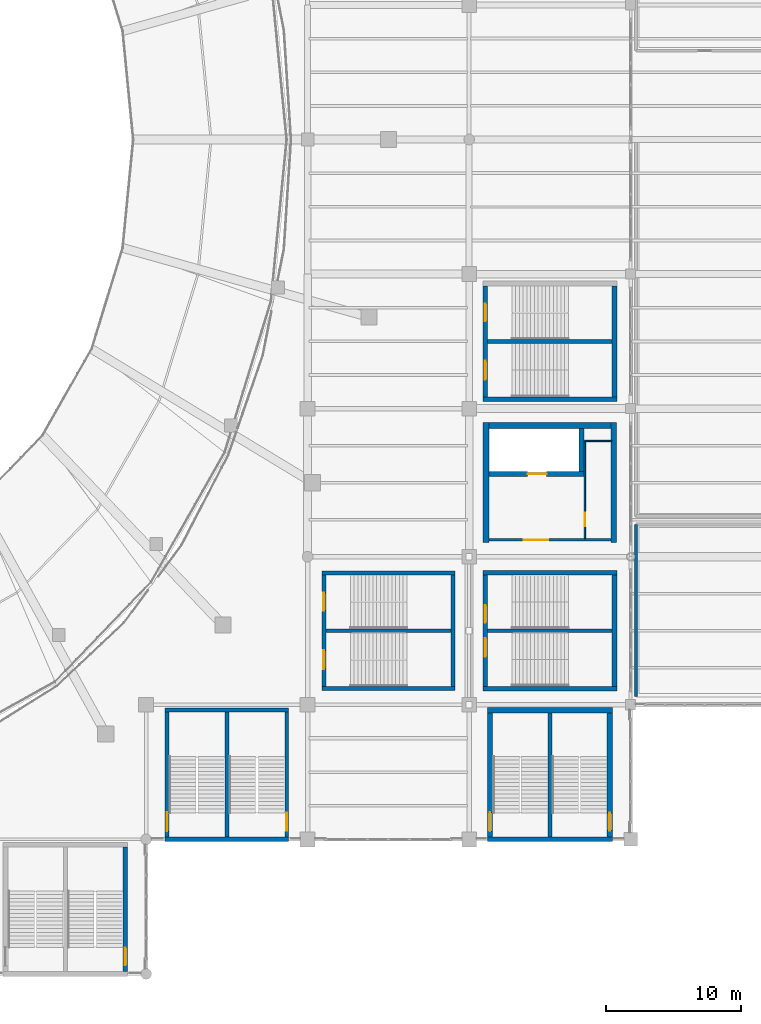
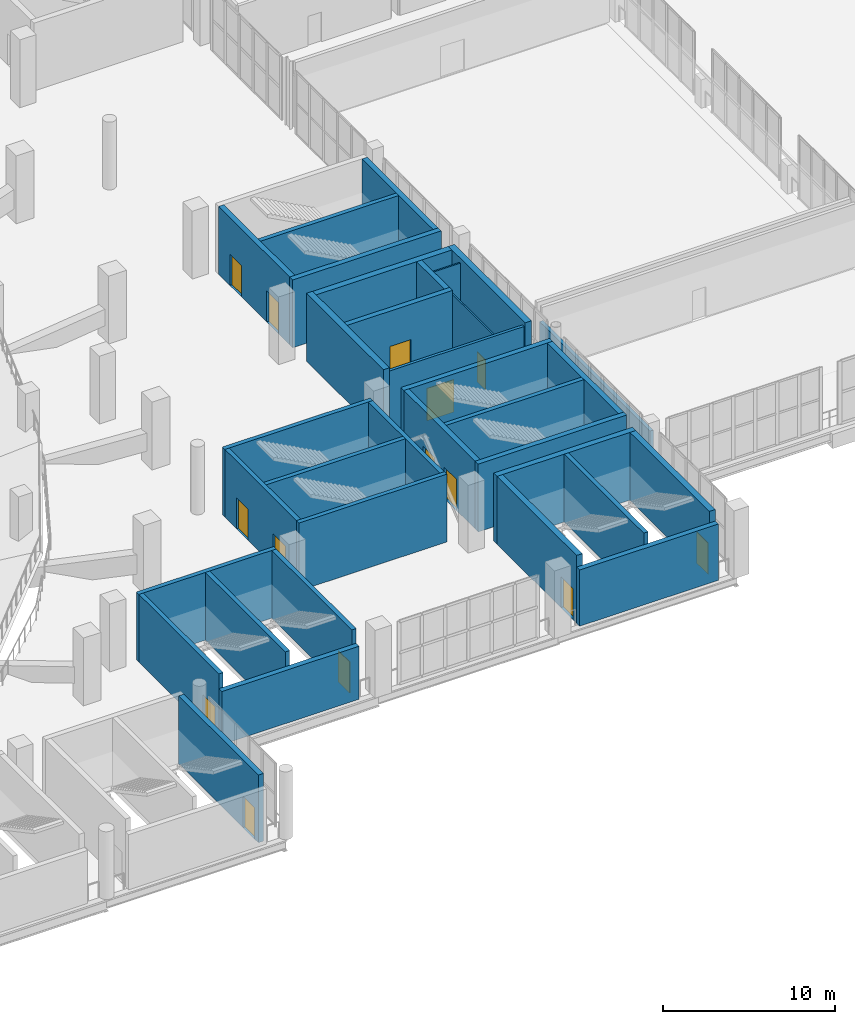
# One storey, part 112 of 136: 34 walls, 14 doors, 14 openings.
"""IFC4 building model written with IfcOpenShell, lengths in metres."""

from ifc_helpers import new_model, si_unit, direction, frame, frame_2d, origin, place, context, subcontext, project, spatial, rectangle, extrude, material, layer, layer_set, type_object, element, fill, save


model = new_model("IFC4")

# Units and contexts
model_context = context("Model", 3, precision=1e-05, world=origin(), true_north=direction((0.0, 1.0)))
body_context = subcontext(model_context, "Body", "Model", "MODEL_VIEW")
ifc_project = project(units=[si_unit("LENGTHUNIT", "METRE"), si_unit("AREAUNIT", "SQUARE_METRE"), si_unit("VOLUMEUNIT", "CUBIC_METRE"), si_unit("PLANEANGLEUNIT", "RADIAN"), si_unit("MASSUNIT", "GRAM", prefix="KILO")], contexts=[model_context])

# Site, building, storey
site_placement = place(None, origin())
site = spatial("IfcSite", under=ifc_project, at=site_placement, CompositionType="ELEMENT")
building_placement = place(site_placement, origin())
building = spatial("IfcBuilding", under=site, at=building_placement, Name="Brinegate Civic Arena", CompositionType="ELEMENT")
storey_placement = place(building_placement, frame((0.0, 0.0, 5.39990234375)))
storey = spatial("IfcBuildingStorey", under=building, at=storey_placement, Name="L01", CompositionType="ELEMENT", Elevation=5.39990234375)

# Wall, opening, door
ifc_material_1 = material(Name="Concrete C50/60", Category="concrete")
ifc_layer_1 = layer(ifc_material_1, 0.35009765625, Name="Concrete C50/60")
ifc_layer_set_1 = layer_set([ifc_layer_1], Name="Concrete C50/60")
wall_type_1 = type_object("IfcWallType", Name="WALL-CORE-SHEAR-350", PredefinedType="SHEAR", material=ifc_layer_set_1)
wall_1_placement = place(storey_placement, frame((130.449951171875, 0.175048828125, 0.0), z_axis=(0.0, 0.0, 1.0), x_axis=(0.0, 1.0, 0.0)))
wall_1 = element("IfcWall", 1, at=wall_1_placement, inside=storey, type_object=wall_type_1, Name="Stair ST-04 East Shear Wall L01 (WBC-01)", PredefinedType="SHEAR", context=body_context, shape_type="SweptSolid", body=[
    extrude(rectangle(XDim=9.25, YDim=0.35009765625, at=frame_2d((4.625, 0.0))), origin(), (0.0, 0.0, 1.0), 4.800048828125),
])
opening_1_placement = place(wall_1_placement, frame((0.465087890625, 0.0, 0.0)))
opening_1 = element("IfcOpeningElement", 2, at=opening_1_placement, cuts=wall_1, Name="Opening D-ST04B-L01", PredefinedType="OPENING", context=body_context, shape_type="SweptSolid", body=[
    extrude(rectangle(XDim=1.320068359375, YDim=2.199951171875, at=frame_2d((0.66015625, 1.10009765625))), frame((0.0, 0.18505859375, 0.0), z_axis=(0.0, -1.0, 0.0), x_axis=(1.0, 0.0, 0.0)), (0.0, 0.0, 1.0), 0.3701171875),
])
ifc_material_2 = material(Name="Galvanized hurricane steel", Category="steel")
door_type_1 = type_object("IfcDoorType", Name="DOOR-STAIR-2200X2200", OperationType="NOTDEFINED", PredefinedType="DOOR", material=ifc_material_2)
door_1_placement = place(opening_1_placement, origin())
door_1 = element("IfcDoor", 3, at=door_1_placement, inside=storey, type_object=door_type_1, Name="Protected Exit Stair Door D-ST04B-L01", OperationType="DOUBLE_DOOR_SINGLE_SWING", OverallHeight=2.199951171875, OverallWidth=1.320068359375, PredefinedType="DOOR", context=body_context, shape_type="SweptSolid", body=[
    extrude(rectangle(XDim=1.320068359375, YDim=2.199951171875, at=frame_2d((0.66015625, 1.10009765625))), frame((0.0, 0.02490234375, 0.0), z_axis=(0.0, -1.0, 0.0), x_axis=(1.0, 0.0, 0.0)), (0.0, 0.0, 1.0), 0.050048828125),
])
fill(opening_1, door_1)

# Wall
wall_2_placement = place(storey_placement, frame((157.02490234375, 42.699951171875, 0.0), z_axis=(0.0, 0.0, 1.0), x_axis=(1.0, 0.0, 0.0)))
element("IfcWall", 4, at=wall_2_placement, inside=storey, type_object=wall_type_1, Name="Stair ST-10 South Shear Wall L01 (WBD-59)", PredefinedType="SHEAR", context=body_context, shape_type="SweptSolid", body=[
    extrude(rectangle(XDim=9.9501953125, YDim=0.35009765625, at=frame_2d((4.97509765625, 0.0))), origin(), (0.0, 0.0, 1.0), 4.800048828125),
])

# Wall, openings, doors
wall_3_placement = place(storey_placement, frame((157.199951171875, 42.875, 0.0), z_axis=(0.0, 0.0, 1.0), x_axis=(0.0, 1.0, 0.0)))
wall_3 = element("IfcWall", 5, at=wall_3_placement, inside=storey, type_object=wall_type_1, Name="Stair ST-10 West Shear Wall L01 (WBD-61)", PredefinedType="SHEAR", context=body_context, shape_type="SweptSolid", body=[
    extrude(rectangle(XDim=8.25, YDim=0.35009765625, at=frame_2d((4.125, 0.0))), origin(), (0.0, 0.0, 1.0), 4.800048828125),
])
opening_2_placement = place(wall_3_placement, frame((1.27490234375, 0.0, 0.0)))
opening_2 = element("IfcOpeningElement", 6, at=opening_2_placement, cuts=wall_3, Name="Opening D-ST10A-L01", PredefinedType="OPENING", context=body_context, shape_type="SweptSolid", body=[
    extrude(rectangle(XDim=1.39990234375, YDim=2.199951171875, at=frame_2d((0.699951171875, 1.10009765625))), frame((0.0, 0.18505859375, 0.0), z_axis=(0.0, -1.0, 0.0), x_axis=(1.0, 0.0, 0.0)), (0.0, 0.0, 1.0), 0.3701171875),
])
opening_3_placement = place(wall_3_placement, frame((5.614990234375, 0.0, 0.0)))
opening_3 = element("IfcOpeningElement", 7, at=opening_3_placement, cuts=wall_3, Name="Opening D-ST10B-L01", PredefinedType="OPENING", context=body_context, shape_type="SweptSolid", body=[
    extrude(rectangle(XDim=1.320068359375, YDim=2.199951171875, at=frame_2d((0.66015625, 1.10009765625))), frame((0.0, 0.18505859375, 0.0), z_axis=(0.0, -1.0, 0.0), x_axis=(1.0, 0.0, 0.0)), (0.0, 0.0, 1.0), 0.3701171875),
])
door_2_placement = place(opening_3_placement, origin())
door_2 = element("IfcDoor", 8, at=door_2_placement, inside=storey, type_object=door_type_1, Name="Protected Exit Stair Door D-ST10B-L01", OperationType="DOUBLE_DOOR_SINGLE_SWING", OverallHeight=2.199951171875, OverallWidth=1.320068359375, PredefinedType="DOOR", context=body_context, shape_type="SweptSolid", body=[
    extrude(rectangle(XDim=1.320068359375, YDim=2.199951171875, at=frame_2d((0.66015625, 1.10009765625))), frame((0.0, 0.02490234375, 0.0), z_axis=(0.0, -1.0, 0.0), x_axis=(1.0, 0.0, 0.0)), (0.0, 0.0, 1.0), 0.050048828125),
])
fill(opening_3, door_2)
door_type_2 = type_object("IfcDoorType", Name="DOOR-STAIR-2400X2200", OperationType="NOTDEFINED", PredefinedType="DOOR", material=ifc_material_2)
door_3_placement = place(opening_2_placement, origin())
door_3 = element("IfcDoor", 9, at=door_3_placement, inside=storey, type_object=door_type_2, Name="Protected Exit Stair Door D-ST10A-L01", OperationType="DOUBLE_DOOR_SINGLE_SWING", OverallHeight=2.199951171875, OverallWidth=1.39990234375, PredefinedType="DOOR", context=body_context, shape_type="SweptSolid", body=[
    extrude(rectangle(XDim=1.39990234375, YDim=2.199951171875, at=frame_2d((0.699951171875, 1.10009765625))), frame((0.0, 0.02490234375, 0.0), z_axis=(0.0, -1.0, 0.0), x_axis=(1.0, 0.0, 0.0)), (0.0, 0.0, 1.0), 0.050048828125),
])
fill(opening_2, door_3)

# Walls
wall_4_placement = place(storey_placement, frame((166.800048828125, 42.875, 0.0), z_axis=(0.0, 0.0, 1.0), x_axis=(0.0, 1.0, 0.0)))
element("IfcWall", 10, at=wall_4_placement, inside=storey, type_object=wall_type_1, Name="Stair ST-10 East Shear Wall L01 (WBD-62)", PredefinedType="SHEAR", context=body_context, shape_type="SweptSolid", body=[
    extrude(rectangle(XDim=8.25, YDim=0.35009765625, at=frame_2d((4.125, 0.0))), origin(), (0.0, 0.0, 1.0), 4.800048828125),
])
for number, where, z_axis, x_axis, name in (
    (11, (157.02490234375, 21.199951171875, 0.0), (0.0, 0.0, 1.0), (1.0, 0.0, 0.0), "Stair ST-19 South Shear Wall L01 (WBL-31)"),
    (12, (157.02490234375, 29.800048828125, 0.0), (0.0, 0.0, 1.0), (1.0, 0.0, 0.0), "Stair ST-19 North Shear Wall L01 (WBL-32)"),
):
    element("IfcWall", number, at=place(storey_placement, frame(where, z_axis=z_axis, x_axis=x_axis)), inside=storey, type_object=wall_type_1, Name=name, PredefinedType="SHEAR", context=body_context, shape_type="SweptSolid", body=[
        extrude(rectangle(XDim=9.9501953125, YDim=0.35009765625, at=frame_2d((4.97509765625, 0.0))), origin(), (0.0, 0.0, 1.0), 4.800048828125),
    ])

# Wall, openings, doors
wall_5_placement = place(storey_placement, frame((157.199951171875, 21.375, 0.0), z_axis=(0.0, 0.0, 1.0), x_axis=(0.0, 1.0, 0.0)))
wall_5 = element("IfcWall", 13, at=wall_5_placement, inside=storey, type_object=wall_type_1, Name="Stair ST-19 West Shear Wall L01 (WBL-33)", PredefinedType="SHEAR", context=body_context, shape_type="SweptSolid", body=[
    extrude(rectangle(XDim=8.25, YDim=0.35009765625, at=frame_2d((4.125, 0.0))), origin(), (0.0, 0.0, 1.0), 4.800048828125),
])
opening_4_placement = place(wall_5_placement, frame((2.175048828125, 0.0, 0.0)))
opening_4 = element("IfcOpeningElement", 14, at=opening_4_placement, cuts=wall_5, Name="Opening D-ST19A-L01", PredefinedType="OPENING", context=body_context, shape_type="SweptSolid", body=[
    extrude(rectangle(XDim=1.39990234375, YDim=2.199951171875, at=frame_2d((0.699951171875, 1.10009765625))), frame((0.0, 0.18505859375, 0.0), z_axis=(0.0, -1.0, 0.0), x_axis=(1.0, 0.0, 0.0)), (0.0, 0.0, 1.0), 0.3701171875),
])
opening_5_placement = place(wall_5_placement, frame((4.715087890625, 0.0, 0.0)))
opening_5 = element("IfcOpeningElement", 15, at=opening_5_placement, cuts=wall_5, Name="Opening D-ST19B-L01", PredefinedType="OPENING", context=body_context, shape_type="SweptSolid", body=[
    extrude(rectangle(XDim=1.320068359375, YDim=2.199951171875, at=frame_2d((0.66015625, 1.10009765625))), frame((0.0, 0.18505859375, 0.0), z_axis=(0.0, -1.0, 0.0), x_axis=(1.0, 0.0, 0.0)), (0.0, 0.0, 1.0), 0.3701171875),
])
door_4_placement = place(opening_5_placement, origin())
door_4 = element("IfcDoor", 16, at=door_4_placement, inside=storey, type_object=door_type_1, Name="Protected Exit Stair Door D-ST19B-L01", OperationType="DOUBLE_DOOR_SINGLE_SWING", OverallHeight=2.199951171875, OverallWidth=1.320068359375, PredefinedType="DOOR", context=body_context, shape_type="SweptSolid", body=[
    extrude(rectangle(XDim=1.320068359375, YDim=2.199951171875, at=frame_2d((0.66015625, 1.10009765625))), frame((0.0, 0.02490234375, 0.0), z_axis=(0.0, -1.0, 0.0), x_axis=(1.0, 0.0, 0.0)), (0.0, 0.0, 1.0), 0.050048828125),
])
fill(opening_5, door_4)
door_5_placement = place(opening_4_placement, origin())
door_5 = element("IfcDoor", 17, at=door_5_placement, inside=storey, type_object=door_type_2, Name="Protected Exit Stair Door D-ST19A-L01", OperationType="DOUBLE_DOOR_SINGLE_SWING", OverallHeight=2.199951171875, OverallWidth=1.39990234375, PredefinedType="DOOR", context=body_context, shape_type="SweptSolid", body=[
    extrude(rectangle(XDim=1.39990234375, YDim=2.199951171875, at=frame_2d((0.699951171875, 1.10009765625))), frame((0.0, 0.02490234375, 0.0), z_axis=(0.0, -1.0, 0.0), x_axis=(1.0, 0.0, 0.0)), (0.0, 0.0, 1.0), 0.050048828125),
])
fill(opening_4, door_5)

# Wall
wall_6_placement = place(storey_placement, frame((166.800048828125, 21.375, 0.0), z_axis=(0.0, 0.0, 1.0), x_axis=(0.0, 1.0, 0.0)))
element("IfcWall", 18, at=wall_6_placement, inside=storey, type_object=wall_type_1, Name="Stair ST-19 East Shear Wall L01 (WBL-34)", PredefinedType="SHEAR", context=body_context, shape_type="SweptSolid", body=[
    extrude(rectangle(XDim=8.25, YDim=0.35009765625, at=frame_2d((4.125, 0.0))), origin(), (0.0, 0.0, 1.0), 4.800048828125),
])

# Wall, opening, door
wall_7_placement = place(storey_placement, frame((157.4599609375, 37.14990234375, 0.0), z_axis=(0.0, 0.0, 1.0), x_axis=(1.0, 0.0, 0.0)))
wall_7 = element("IfcWall", 19, at=wall_7_placement, inside=storey, type_object=wall_type_1, Name="Core K6 Lift Shaft Front Wall L01 (WBH-91)", PredefinedType="SHEAR", context=body_context, shape_type="SweptSolid", body=[
    extrude(rectangle(XDim=7.06494140625, YDim=0.35009765625, at=frame_2d((3.532470703125, 0.0))), origin(), (0.0, 0.0, 1.0), 4.800048828125),
])
opening_6_placement = place(wall_7_placement, frame((2.889892578125, 0.0, 0.0)))
opening_6 = element("IfcOpeningElement", 20, at=opening_6_placement, cuts=wall_7, Name="Opening LD-GL2-L01", PredefinedType="OPENING", context=body_context, shape_type="SweptSolid", body=[
    extrude(rectangle(XDim=1.39990234375, YDim=2.300048828125, at=frame_2d((0.699951171875, 1.14990234375))), frame((0.0, 0.18505859375, 0.0), z_axis=(0.0, -1.0, 0.0), x_axis=(1.0, 0.0, 0.0)), (0.0, 0.0, 1.0), 0.3701171875),
])
ifc_material_3 = material(Name="Architectural stainless steel balustrade", Category="steel")
door_type_3 = type_object("IfcDoorType", Name="DOOR-LIFT-1400X2300", OperationType="SLIDING_TO_LEFT", PredefinedType="DOOR", material=ifc_material_3)
door_6_placement = place(opening_6_placement, origin())
door_6 = element("IfcDoor", 21, at=door_6_placement, inside=storey, type_object=door_type_3, Name="Sliding Lift Landing Door LD-GL2-L01", OperationType="SLIDING_TO_LEFT", OverallHeight=2.300048828125, OverallWidth=1.39990234375, PredefinedType="DOOR", context=body_context, shape_type="SweptSolid", body=[
    extrude(rectangle(XDim=1.39990234375, YDim=2.300048828125, at=frame_2d((0.699951171875, 1.14990234375))), frame((0.0, 0.02490234375, 0.0), z_axis=(0.0, -1.0, 0.0), x_axis=(1.0, 0.0, 0.0)), (0.0, 0.0, 1.0), 0.050048828125),
])
fill(opening_6, door_6)

# Walls
wall_8_placement = place(storey_placement, frame((164.35009765625, 37.324951171875, 0.0), z_axis=(0.0, 0.0, 1.0), x_axis=(0.0, 1.0, 0.0)))
element("IfcWall", 22, at=wall_8_placement, inside=storey, type_object=wall_type_1, Name="Core K6 Lift Shaft End Wall L01 (WBH-92)", PredefinedType="SHEAR", context=body_context, shape_type="SweptSolid", body=[
    extrude(rectangle(XDim=3.215087890625, YDim=0.35009765625, at=frame_2d((1.607421875, 0.0))), origin(), (0.0, 0.0, 1.0), 4.800048828125),
])
ifc_layer_2 = layer(ifc_material_1, 0.389892578125, Name="Concrete C50/60")
ifc_layer_set_2 = layer_set([ifc_layer_2], Name="Concrete C50/60")
wall_type_2 = type_object("IfcWallType", Name="WALL-CORE-SHEAR-390", PredefinedType="SHEAR", material=ifc_layer_set_2)
wall_9_placement = place(storey_placement, frame((157.35498046875, 19.60009765625, 0.0), z_axis=(0.0, 0.0, 1.0), x_axis=(1.0, 0.0, 0.0)))
element("IfcWall", 23, at=wall_9_placement, inside=storey, type_object=wall_type_2, Name="Stair ST-06 North Shear Wall L01 (WBC-49)", PredefinedType="SHEAR", context=body_context, shape_type="SweptSolid", body=[
    extrude(rectangle(XDim=9.2900390625, YDim=0.389892578125, at=frame_2d((4.64501953125, 0.0))), origin(), (0.0, 0.0, 1.0), 4.800048828125),
])

# Wall, opening, door
wall_10_placement = place(storey_placement, frame((157.550048828125, 10.175048828125, 0.0), z_axis=(0.0, 0.0, 1.0), x_axis=(0.0, 1.0, 0.0)))
wall_10 = element("IfcWall", 24, at=wall_10_placement, inside=storey, type_object=wall_type_2, Name="Stair ST-06 West Shear Wall L01 (WBC-50)", PredefinedType="SHEAR", context=body_context, shape_type="SweptSolid", body=[
    extrude(rectangle(XDim=9.22998046875, YDim=0.389892578125, at=frame_2d((4.614990234375, 0.0))), origin(), (0.0, 0.0, 1.0), 4.800048828125),
])
opening_7_placement = place(wall_10_placement, frame((0.425048828125, 0.0, 0.0)))
opening_7 = element("IfcOpeningElement", 25, at=opening_7_placement, cuts=wall_10, Name="Opening D-ST06A-L01", PredefinedType="OPENING", context=body_context, shape_type="SweptSolid", body=[
    extrude(rectangle(XDim=1.39990234375, YDim=2.199951171875, at=frame_2d((0.699951171875, 1.10009765625))), frame((0.0, 0.204833984375, 0.0), z_axis=(0.0, -1.0, 0.0), x_axis=(1.0, 0.0, 0.0)), (0.0, 0.0, 1.0), 0.409912109375),
])
door_7_placement = place(opening_7_placement, frame((1.39990234375, 0.0, 0.0), z_axis=(0.0, 0.0, 1.0), x_axis=(-1.0, 0.0, 0.0)))
door_7 = element("IfcDoor", 26, at=door_7_placement, inside=storey, type_object=door_type_2, Name="Protected Exit Stair Door D-ST06A-L01", OperationType="DOUBLE_DOOR_SINGLE_SWING", OverallHeight=2.199951171875, OverallWidth=1.39990234375, PredefinedType="DOOR", context=body_context, shape_type="SweptSolid", body=[
    extrude(rectangle(XDim=1.39990234375, YDim=2.199951171875, at=frame_2d((0.699951171875, 1.10009765625))), frame((0.0, 0.02490234375, 0.0), z_axis=(0.0, -1.0, 0.0), x_axis=(1.0, 0.0, 0.0)), (0.0, 0.0, 1.0), 0.050048828125),
])
fill(opening_7, door_7)

wall_11_placement = place(storey_placement, frame((166.449951171875, 10.175048828125, 0.0), z_axis=(0.0, 0.0, 1.0), x_axis=(0.0, 1.0, 0.0)))
wall_11 = element("IfcWall", 27, at=wall_11_placement, inside=storey, type_object=wall_type_2, Name="Stair ST-06 East Shear Wall L01 (WBC-51)", PredefinedType="SHEAR", context=body_context, shape_type="SweptSolid", body=[
    extrude(rectangle(XDim=9.22998046875, YDim=0.389892578125, at=frame_2d((4.614990234375, 0.0))), origin(), (0.0, 0.0, 1.0), 4.800048828125),
])
opening_8_placement = place(wall_11_placement, frame((0.465087890625, 0.0, 0.0)))
opening_8 = element("IfcOpeningElement", 28, at=opening_8_placement, cuts=wall_11, Name="Opening D-ST06B-L01", PredefinedType="OPENING", context=body_context, shape_type="SweptSolid", body=[
    extrude(rectangle(XDim=1.320068359375, YDim=2.199951171875, at=frame_2d((0.66015625, 1.10009765625))), frame((0.0, 0.204833984375, 0.0), z_axis=(0.0, -1.0, 0.0), x_axis=(1.0, 0.0, 0.0)), (0.0, 0.0, 1.0), 0.409912109375),
])
door_8_placement = place(opening_8_placement, origin())
door_8 = element("IfcDoor", 29, at=door_8_placement, inside=storey, type_object=door_type_1, Name="Protected Exit Stair Door D-ST06B-L01", OperationType="DOUBLE_DOOR_SINGLE_SWING", OverallHeight=2.199951171875, OverallWidth=1.320068359375, PredefinedType="DOOR", context=body_context, shape_type="SweptSolid", body=[
    extrude(rectangle(XDim=1.320068359375, YDim=2.199951171875, at=frame_2d((0.66015625, 1.10009765625))), frame((0.0, 0.02490234375, 0.0), z_axis=(0.0, -1.0, 0.0), x_axis=(1.0, 0.0, 0.0)), (0.0, 0.0, 1.0), 0.050048828125),
])
fill(opening_8, door_8)

# Walls
ifc_layer_3 = layer(ifc_material_1, 0.419921875, Name="Concrete C50/60")
ifc_layer_set_3 = layer_set([ifc_layer_3], Name="Concrete C50/60")
wall_type_3 = type_object("IfcWallType", Name="WALL-CORE-SHEAR-420", PredefinedType="SHEAR", material=ifc_layer_set_3)
for number, where, z_axis, x_axis, name in (
    (30, (157.25, 32.0400390625, 0.0), (0.0, 0.0, 1.0), (0.0, 1.0, 0.0), "Core K6 West Shear Wall L01 (WBH-88)"),
    (31, (166.75, 32.0400390625, 0.0), (0.0, 0.0, 1.0), (0.0, 1.0, 0.0), "Core K6 East Shear Wall L01 (WBH-89)"),
):
    element("IfcWall", number, at=place(storey_placement, frame(where, z_axis=z_axis, x_axis=x_axis)), inside=storey, type_object=wall_type_3, Name=name, PredefinedType="SHEAR", context=body_context, shape_type="SweptSolid", body=[
        extrude(rectangle(XDim=8.919921875, YDim=0.419921875, at=frame_2d((4.4599609375, 0.0))), origin(), (0.0, 0.0, 1.0), 4.800048828125),
    ])
wall_12_placement = place(storey_placement, frame((157.4599609375, 40.75, 0.0), z_axis=(0.0, 0.0, 1.0), x_axis=(1.0, 0.0, 0.0)))
element("IfcWall", 32, at=wall_12_placement, inside=storey, type_object=wall_type_3, Name="Core K6 North Shear Wall L01 (WBH-90)", PredefinedType="SHEAR", context=body_context, shape_type="SweptSolid", body=[
    extrude(rectangle(XDim=9.080078125, YDim=0.419921875, at=frame_2d((4.5400390625, 0.0))), origin(), (0.0, 0.0, 1.0), 4.800048828125),
])
ifc_layer_4 = layer(ifc_material_1, 0.35009765625, Name="Concrete C50/60")
ifc_layer_set_4 = layer_set([ifc_layer_4], Name="Concrete C50/60")
wall_type_4 = type_object("IfcWallType", Name="WALL-EXT-STAIR-SHEAR-350", PredefinedType="SHEAR", material=ifc_layer_set_4)
wall_13_placement = place(storey_placement, frame((157.35498046875, 10.0, 0.0), z_axis=(0.0, 0.0, 1.0), x_axis=(1.0, 0.0, 0.0)))
element("IfcWall", 33, at=wall_13_placement, inside=storey, type_object=wall_type_4, Name="Stair ST-06 South Shear Wall L01 (WBC-48)", PredefinedType="SHEAR", context=body_context, shape_type="SweptSolid", body=[
    extrude(rectangle(XDim=9.2900390625, YDim=0.35009765625, at=frame_2d((4.64501953125, 0.0))), origin(), (0.0, 0.0, 1.0), 3.984130859375),
])
wall_14_placement = place(storey_placement, frame((133.405029296875, 10.0, 0.0), z_axis=(0.0, 0.0, 1.0), x_axis=(1.0, 0.0, 0.0)))
element("IfcWall", 34, at=wall_14_placement, inside=storey, type_object=wall_type_4, Name="Stair ST-14 South Shear Wall L01 (WBE-60)", PredefinedType="SHEAR", context=body_context, shape_type="SweptSolid", body=[
    extrude(rectangle(XDim=9.18994140625, YDim=0.35009765625, at=frame_2d((4.594970703125, 0.0))), origin(), (0.0, 0.0, 1.0), 3.757080078125),
])
ifc_material_4 = material(Name="Concrete C40/50", Category="concrete")
ifc_layer_5 = layer(ifc_material_4, 0.22998046875, Name="Concrete C40/50")
ifc_layer_set_5 = layer_set([ifc_layer_5], Name="Concrete C40/50")
wall_type_5 = type_object("IfcWallType", Name="WALL-INT-SOLID-230", PredefinedType="SOLIDWALL", material=ifc_layer_set_5)
wall_15_placement = place(storey_placement, frame((168.39990234375, 20.60009765625, 0.0), z_axis=(0.0, 0.0, 1.0), x_axis=(0.0, 1.0, 0.0)))
element("IfcWall", 35, at=wall_15_placement, inside=storey, type_object=wall_type_5, Name="First Aid and Spectator Medical Station Partition Wall E3 (WBJ-10)", PredefinedType="SOLIDWALL", context=body_context, shape_type="SweptSolid", body=[
    extrude(rectangle(XDim=12.7998046875, YDim=0.22998046875, at=frame_2d((6.39990234375, 0.0))), origin(), (0.0, 0.0, 1.0), 3.4501953125),
])

# Wall, opening, door
ifc_material_5 = material(Name="Concrete blockwork masonry", Category="masonry")
ifc_layer_6 = layer(ifc_material_5, 0.18994140625, Name="Concrete blockwork masonry")
ifc_layer_set_6 = layer_set([ifc_layer_6], Name="Concrete blockwork masonry")
wall_type_6 = type_object("IfcWallType", Name="WALL-PART-RATED-190", PredefinedType="PARTITIONING", material=ifc_layer_set_6)
wall_16_placement = place(storey_placement, frame((157.469970703125, 32.25, 0.0), z_axis=(0.0, 0.0, 1.0), x_axis=(1.0, 0.0, 0.0)))
wall_16 = element("IfcWall", 36, at=wall_16_placement, inside=storey, type_object=wall_type_6, Name="Core K6 Concourse Lobby Wall L01 (WBH-93)", PredefinedType="PARTITIONING", context=body_context, shape_type="SweptSolid", body=[
    extrude(rectangle(XDim=9.06005859375, YDim=0.18994140625, at=frame_2d((4.530029296875, 0.0))), origin(), (0.0, 0.0, 1.0), 4.47021484375),
])
opening_9_placement = place(wall_16_placement, frame((2.60009765625, 0.0, 0.0)))
opening_9 = element("IfcOpeningElement", 37, at=opening_9_placement, cuts=wall_16, Name="Opening D-K6L-L01", PredefinedType="OPENING", context=body_context, shape_type="SweptSolid", body=[
    extrude(rectangle(XDim=1.800048828125, YDim=2.300048828125, at=frame_2d((0.89990234375, 1.14990234375))), frame((0.0, 0.10498046875, 0.0), z_axis=(0.0, -1.0, 0.0), x_axis=(1.0, 0.0, 0.0)), (0.0, 0.0, 1.0), 0.2099609375),
])
ifc_material_6 = material(Name="Marine grade aluminium", Category="aluminium")
door_type_4 = type_object("IfcDoorType", Name="DOOR-CONC-1800X2300", OperationType="NOTDEFINED", PredefinedType="DOOR", material=ifc_material_6)
door_9_placement = place(opening_9_placement, origin())
door_9 = element("IfcDoor", 38, at=door_9_placement, inside=storey, type_object=door_type_4, Name="Lift Lobby Door D-K6L-L01", OperationType="DOUBLE_DOOR_SINGLE_SWING", OverallHeight=2.300048828125, OverallWidth=1.800048828125, PredefinedType="DOOR", context=body_context, shape_type="SweptSolid", body=[
    extrude(rectangle(XDim=1.800048828125, YDim=2.300048828125, at=frame_2d((0.89990234375, 1.14990234375))), frame((0.0, 0.02490234375, 0.0), z_axis=(0.0, -1.0, 0.0), x_axis=(1.0, 0.0, 0.0)), (0.0, 0.0, 1.0), 0.050048828125),
])
fill(opening_9, door_9)

ifc_layer_7 = layer(ifc_material_5, 0.10009765625, Name="Concrete blockwork masonry")
ifc_layer_set_7 = layer_set([ifc_layer_7], Name="Concrete blockwork masonry")
wall_type_7 = type_object("IfcWallType", Name="WALL-PART-WET-100", PredefinedType="PARTITIONING", material=ifc_layer_set_7)
wall_17_placement = place(storey_placement, frame((164.60009765625, 32.35009765625, 0.0), z_axis=(0.0, 0.0, 1.0), x_axis=(0.0, 1.0, 0.0)))
wall_17 = element("IfcWall", 39, at=wall_17_placement, inside=storey, type_object=wall_type_7, Name="Accessible WC K6 Partition L01 (WBH-94)", PredefinedType="PARTITIONING", context=body_context, shape_type="SweptSolid", body=[
    extrude(rectangle(XDim=7.25, YDim=0.10009765625, at=frame_2d((3.625, 0.0))), origin(), (0.0, 0.0, 1.0), 4.47021484375),
])
opening_10_placement = place(wall_17_placement, frame((0.89990234375, 0.0, 0.0)))
opening_10 = element("IfcOpeningElement", 40, at=opening_10_placement, cuts=wall_17, Name="Opening D-K6W-L01", PredefinedType="OPENING", context=body_context, shape_type="SweptSolid", body=[
    extrude(rectangle(XDim=1.0, YDim=2.10009765625, at=frame_2d((0.5, 1.050048828125))), frame((0.0, 0.06005859375, 0.0), z_axis=(0.0, -1.0, 0.0), x_axis=(1.0, 0.0, 0.0)), (0.0, 0.0, 1.0), 0.1201171875),
])
ifc_material_7 = material(Name="Hardwood acoustic timber door", Category="wood")
door_type_5 = type_object("IfcDoorType", Name="DOOR-AWC-1000X2100", OperationType="NOTDEFINED", PredefinedType="DOOR", material=ifc_material_7)
door_10_placement = place(opening_10_placement, origin())
door_10 = element("IfcDoor", 41, at=door_10_placement, inside=storey, type_object=door_type_5, Name="Accessible WC Door D-K6W-L01", OperationType="SINGLE_SWING_RIGHT", OverallHeight=2.10009765625, OverallWidth=1.0, PredefinedType="DOOR", context=body_context, shape_type="SweptSolid", body=[
    extrude(rectangle(XDim=1.0, YDim=2.10009765625, at=frame_2d((0.5, 1.050048828125))), frame((0.0, 0.02490234375, 0.0), z_axis=(0.0, -1.0, 0.0), x_axis=(1.0, 0.0, 0.0)), (0.0, 0.0, 1.0), 0.050048828125),
])
fill(opening_10, door_10)

# Walls
wall_18_placement = place(storey_placement, frame((164.60009765625, 39.60009765625, 0.0), z_axis=(0.0, 0.0, 1.0), x_axis=(1.0, 0.0, 0.0)))
element("IfcWall", 42, at=wall_18_placement, inside=storey, type_object=wall_type_7, Name="Accessible WC K6 Back Partition L01 (WBH-95)", PredefinedType="PARTITIONING", context=body_context, shape_type="SweptSolid", body=[
    extrude(rectangle(XDim=2.0, YDim=0.10009765625, at=frame_2d((1.0, 0.0))), origin(), (0.0, 0.0, 1.0), 4.47021484375),
])
ifc_layer_8 = layer(ifc_material_1, 0.2900390625, Name="Concrete C50/60")
ifc_layer_set_8 = layer_set([ifc_layer_8], Name="Concrete C50/60")
wall_type_8 = type_object("IfcWallType", Name="WALL-STAIR-SHEAR-290", PredefinedType="SHEAR", material=ifc_layer_set_8)
wall_19_placement = place(storey_placement, frame((162.0, 10.175048828125, 0.0), z_axis=(0.0, 0.0, 1.0), x_axis=(0.0, 1.0, 0.0)))
element("IfcWall", 43, at=wall_19_placement, inside=storey, type_object=wall_type_8, Name="Stair ST-06 Central Dividing Shear Wall L01 (WBC-52)", PredefinedType="SHEAR", context=body_context, shape_type="SweptSolid", body=[
    extrude(rectangle(XDim=9.22998046875, YDim=0.2900390625, at=frame_2d((4.614990234375, 0.0))), origin(), (0.0, 0.0, 1.0), 4.800048828125),
])
wall_20_placement = place(storey_placement, frame((157.375, 47.0, 0.0), z_axis=(0.0, 0.0, 1.0), x_axis=(1.0, 0.0, 0.0)))
element("IfcWall", 44, at=wall_20_placement, inside=storey, type_object=wall_type_8, Name="Stair ST-10 Central Dividing Shear Wall L01 (WBD-63)", PredefinedType="SHEAR", context=body_context, shape_type="SweptSolid", body=[
    extrude(rectangle(XDim=9.25, YDim=0.2900390625, at=frame_2d((4.625, 0.0))), origin(), (0.0, 0.0, 1.0), 4.800048828125),
])
wall_21_placement = place(storey_placement, frame((133.405029296875, 19.60009765625, 0.0), z_axis=(0.0, 0.0, 1.0), x_axis=(1.0, 0.0, 0.0)))
element("IfcWall", 45, at=wall_21_placement, inside=storey, type_object=wall_type_8, Name="Stair ST-14 North Shear Wall L01 (WBE-61)", PredefinedType="SHEAR", context=body_context, shape_type="SweptSolid", body=[
    extrude(rectangle(XDim=9.18994140625, YDim=0.2900390625, at=frame_2d((4.594970703125, 0.0))), origin(), (0.0, 0.0, 1.0), 4.800048828125),
])

# Wall, opening, door
wall_22_placement = place(storey_placement, frame((133.550048828125, 10.175048828125, 0.0), z_axis=(0.0, 0.0, 1.0), x_axis=(0.0, 1.0, 0.0)))
wall_22 = element("IfcWall", 46, at=wall_22_placement, inside=storey, type_object=wall_type_8, Name="Stair ST-14 West Shear Wall L01 (WBE-62)", PredefinedType="SHEAR", context=body_context, shape_type="SweptSolid", body=[
    extrude(rectangle(XDim=9.280029296875, YDim=0.2900390625, at=frame_2d((4.64013671875, 0.0))), origin(), (0.0, 0.0, 1.0), 4.800048828125),
])
opening_11_placement = place(wall_22_placement, frame((0.425048828125, 0.0, 0.0)))
opening_11 = element("IfcOpeningElement", 47, at=opening_11_placement, cuts=wall_22, Name="Opening D-ST14A-L01", PredefinedType="OPENING", context=body_context, shape_type="SweptSolid", body=[
    extrude(rectangle(XDim=1.39990234375, YDim=2.199951171875, at=frame_2d((0.699951171875, 1.10009765625))), frame((0.0, 0.155029296875, 0.0), z_axis=(0.0, -1.0, 0.0), x_axis=(1.0, 0.0, 0.0)), (0.0, 0.0, 1.0), 0.31005859375),
])
door_11_placement = place(opening_11_placement, frame((1.39990234375, 0.0, 0.0), z_axis=(0.0, 0.0, 1.0), x_axis=(-1.0, 0.0, 0.0)))
door_11 = element("IfcDoor", 48, at=door_11_placement, inside=storey, type_object=door_type_2, Name="Protected Exit Stair Door D-ST14A-L01", OperationType="DOUBLE_DOOR_SINGLE_SWING", OverallHeight=2.199951171875, OverallWidth=1.39990234375, PredefinedType="DOOR", context=body_context, shape_type="SweptSolid", body=[
    extrude(rectangle(XDim=1.39990234375, YDim=2.199951171875, at=frame_2d((0.699951171875, 1.10009765625))), frame((0.0, 0.02490234375, 0.0), z_axis=(0.0, -1.0, 0.0), x_axis=(1.0, 0.0, 0.0)), (0.0, 0.0, 1.0), 0.050048828125),
])
fill(opening_11, door_11)

wall_23_placement = place(storey_placement, frame((142.449951171875, 10.175048828125, 0.0), z_axis=(0.0, 0.0, 1.0), x_axis=(0.0, 1.0, 0.0)))
wall_23 = element("IfcWall", 49, at=wall_23_placement, inside=storey, type_object=wall_type_8, Name="Stair ST-14 East Shear Wall L01 (WBE-63)", PredefinedType="SHEAR", context=body_context, shape_type="SweptSolid", body=[
    extrude(rectangle(XDim=9.280029296875, YDim=0.2900390625, at=frame_2d((4.64013671875, 0.0))), origin(), (0.0, 0.0, 1.0), 4.800048828125),
])
opening_12_placement = place(wall_23_placement, frame((0.465087890625, 0.0, 0.0)))
opening_12 = element("IfcOpeningElement", 50, at=opening_12_placement, cuts=wall_23, Name="Opening D-ST14B-L01", PredefinedType="OPENING", context=body_context, shape_type="SweptSolid", body=[
    extrude(rectangle(XDim=1.320068359375, YDim=2.199951171875, at=frame_2d((0.66015625, 1.10009765625))), frame((0.0, 0.155029296875, 0.0), z_axis=(0.0, -1.0, 0.0), x_axis=(1.0, 0.0, 0.0)), (0.0, 0.0, 1.0), 0.31005859375),
])
door_12_placement = place(opening_12_placement, origin())
door_12 = element("IfcDoor", 51, at=door_12_placement, inside=storey, type_object=door_type_1, Name="Protected Exit Stair Door D-ST14B-L01", OperationType="DOUBLE_DOOR_SINGLE_SWING", OverallHeight=2.199951171875, OverallWidth=1.320068359375, PredefinedType="DOOR", context=body_context, shape_type="SweptSolid", body=[
    extrude(rectangle(XDim=1.320068359375, YDim=2.199951171875, at=frame_2d((0.66015625, 1.10009765625))), frame((0.0, 0.02490234375, 0.0), z_axis=(0.0, -1.0, 0.0), x_axis=(1.0, 0.0, 0.0)), (0.0, 0.0, 1.0), 0.050048828125),
])
fill(opening_12, door_12)

# Walls
wall_24_placement = place(storey_placement, frame((138.0, 10.175048828125, 0.0), z_axis=(0.0, 0.0, 1.0), x_axis=(0.0, 1.0, 0.0)))
element("IfcWall", 52, at=wall_24_placement, inside=storey, type_object=wall_type_8, Name="Stair ST-14 Central Dividing Shear Wall L01 (WBE-64)", PredefinedType="SHEAR", context=body_context, shape_type="SweptSolid", body=[
    extrude(rectangle(XDim=9.280029296875, YDim=0.2900390625, at=frame_2d((4.64013671875, 0.0))), origin(), (0.0, 0.0, 1.0), 4.800048828125),
])
for number, where, z_axis, x_axis, name in (
    (53, (145.054931640625, 21.199951171875, 0.0), (0.0, 0.0, 1.0), (1.0, 0.0, 0.0), "Stair ST-17 South Shear Wall L01 (WBK-80)"),
    (54, (145.054931640625, 29.800048828125, 0.0), (0.0, 0.0, 1.0), (1.0, 0.0, 0.0), "Stair ST-17 North Shear Wall L01 (WBK-81)"),
):
    element("IfcWall", number, at=place(storey_placement, frame(where, z_axis=z_axis, x_axis=x_axis)), inside=storey, type_object=wall_type_8, Name=name, PredefinedType="SHEAR", context=body_context, shape_type="SweptSolid", body=[
        extrude(rectangle(XDim=9.89013671875, YDim=0.2900390625, at=frame_2d((4.945068359375, 0.0))), origin(), (0.0, 0.0, 1.0), 4.800048828125),
    ])

# Wall, openings, doors
wall_25_placement = place(storey_placement, frame((145.199951171875, 21.344970703125, 0.0), z_axis=(0.0, 0.0, 1.0), x_axis=(0.0, 1.0, 0.0)))
wall_25 = element("IfcWall", 55, at=wall_25_placement, inside=storey, type_object=wall_type_8, Name="Stair ST-17 West Shear Wall L01 (WBK-82)", PredefinedType="SHEAR", context=body_context, shape_type="SweptSolid", body=[
    extrude(rectangle(XDim=8.31005859375, YDim=0.2900390625, at=frame_2d((4.155029296875, 0.0))), origin(), (0.0, 0.0, 1.0), 4.800048828125),
])
opening_13_placement = place(wall_25_placement, frame((1.304931640625, 0.0, 0.0)))
opening_13 = element("IfcOpeningElement", 56, at=opening_13_placement, cuts=wall_25, Name="Opening D-ST17A-L01", PredefinedType="OPENING", context=body_context, shape_type="SweptSolid", body=[
    extrude(rectangle(XDim=1.39990234375, YDim=2.199951171875, at=frame_2d((0.699951171875, 1.10009765625))), frame((0.0, 0.155029296875, 0.0), z_axis=(0.0, -1.0, 0.0), x_axis=(1.0, 0.0, 0.0)), (0.0, 0.0, 1.0), 0.31005859375),
])
opening_14_placement = place(wall_25_placement, frame((5.64501953125, 0.0, 0.0)))
opening_14 = element("IfcOpeningElement", 57, at=opening_14_placement, cuts=wall_25, Name="Opening D-ST17B-L01", PredefinedType="OPENING", context=body_context, shape_type="SweptSolid", body=[
    extrude(rectangle(XDim=1.320068359375, YDim=2.199951171875, at=frame_2d((0.66015625, 1.10009765625))), frame((0.0, 0.155029296875, 0.0), z_axis=(0.0, -1.0, 0.0), x_axis=(1.0, 0.0, 0.0)), (0.0, 0.0, 1.0), 0.31005859375),
])
door_13_placement = place(opening_14_placement, origin())
door_13 = element("IfcDoor", 58, at=door_13_placement, inside=storey, type_object=door_type_1, Name="Protected Exit Stair Door D-ST17B-L01", OperationType="DOUBLE_DOOR_SINGLE_SWING", OverallHeight=2.199951171875, OverallWidth=1.320068359375, PredefinedType="DOOR", context=body_context, shape_type="SweptSolid", body=[
    extrude(rectangle(XDim=1.320068359375, YDim=2.199951171875, at=frame_2d((0.66015625, 1.10009765625))), frame((0.0, 0.02490234375, 0.0), z_axis=(0.0, -1.0, 0.0), x_axis=(1.0, 0.0, 0.0)), (0.0, 0.0, 1.0), 0.050048828125),
])
fill(opening_14, door_13)
door_14_placement = place(opening_13_placement, origin())
door_14 = element("IfcDoor", 59, at=door_14_placement, inside=storey, type_object=door_type_2, Name="Protected Exit Stair Door D-ST17A-L01", OperationType="DOUBLE_DOOR_SINGLE_SWING", OverallHeight=2.199951171875, OverallWidth=1.39990234375, PredefinedType="DOOR", context=body_context, shape_type="SweptSolid", body=[
    extrude(rectangle(XDim=1.39990234375, YDim=2.199951171875, at=frame_2d((0.699951171875, 1.10009765625))), frame((0.0, 0.02490234375, 0.0), z_axis=(0.0, -1.0, 0.0), x_axis=(1.0, 0.0, 0.0)), (0.0, 0.0, 1.0), 0.050048828125),
])
fill(opening_13, door_14)

# Walls
wall_26_placement = place(storey_placement, frame((154.800048828125, 21.344970703125, 0.0), z_axis=(0.0, 0.0, 1.0), x_axis=(0.0, 1.0, 0.0)))
element("IfcWall", 60, at=wall_26_placement, inside=storey, type_object=wall_type_8, Name="Stair ST-17 East Shear Wall L01 (WBK-83)", PredefinedType="SHEAR", context=body_context, shape_type="SweptSolid", body=[
    extrude(rectangle(XDim=8.31005859375, YDim=0.2900390625, at=frame_2d((4.155029296875, 0.0))), origin(), (0.0, 0.0, 1.0), 4.800048828125),
])
wall_27_placement = place(storey_placement, frame((145.344970703125, 25.5, 0.0), z_axis=(0.0, 0.0, 1.0), x_axis=(1.0, 0.0, 0.0)))
element("IfcWall", 61, at=wall_27_placement, inside=storey, type_object=wall_type_8, Name="Stair ST-17 Central Dividing Shear Wall L01 (WBK-84)", PredefinedType="SHEAR", context=body_context, shape_type="SweptSolid", body=[
    extrude(rectangle(XDim=9.31005859375, YDim=0.2900390625, at=frame_2d((4.655029296875, 0.0))), origin(), (0.0, 0.0, 1.0), 4.800048828125),
])
wall_28_placement = place(storey_placement, frame((157.375, 25.5, 0.0), z_axis=(0.0, 0.0, 1.0), x_axis=(1.0, 0.0, 0.0)))
element("IfcWall", 62, at=wall_28_placement, inside=storey, type_object=wall_type_8, Name="Stair ST-19 Central Dividing Shear Wall L01 (WBL-35)", PredefinedType="SHEAR", context=body_context, shape_type="SweptSolid", body=[
    extrude(rectangle(XDim=9.25, YDim=0.2900390625, at=frame_2d((4.625, 0.0))), origin(), (0.0, 0.0, 1.0), 4.800048828125),
])

save(model, "model.ifc")
